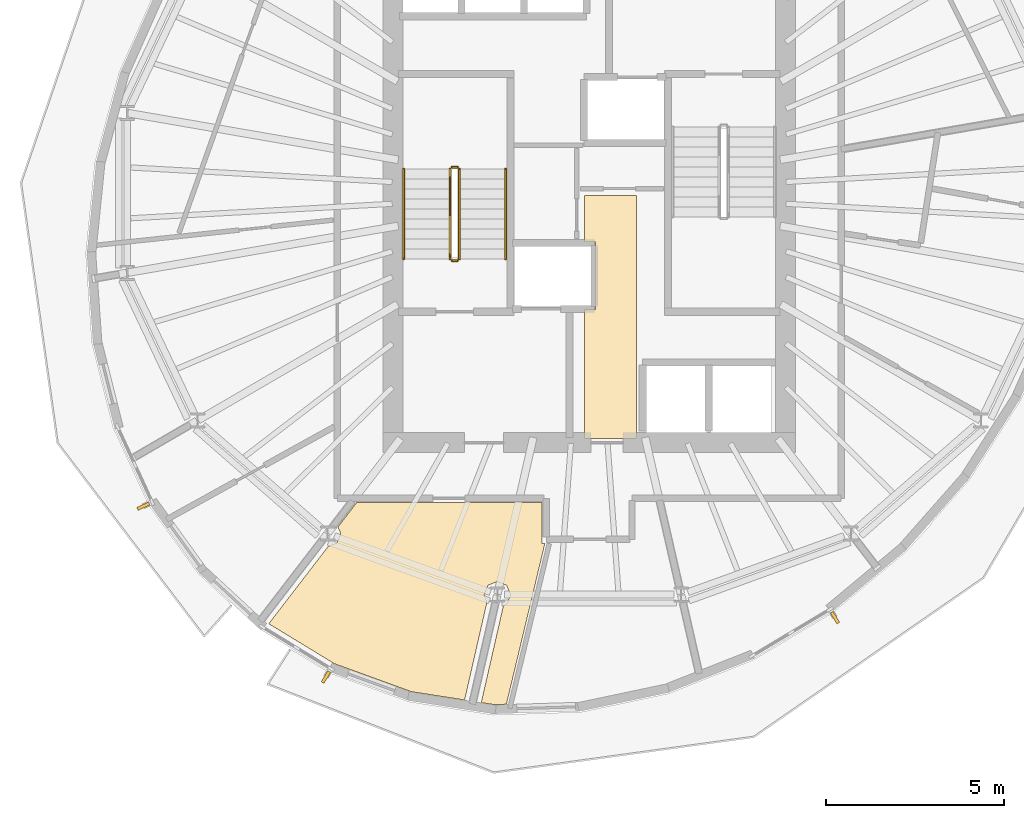
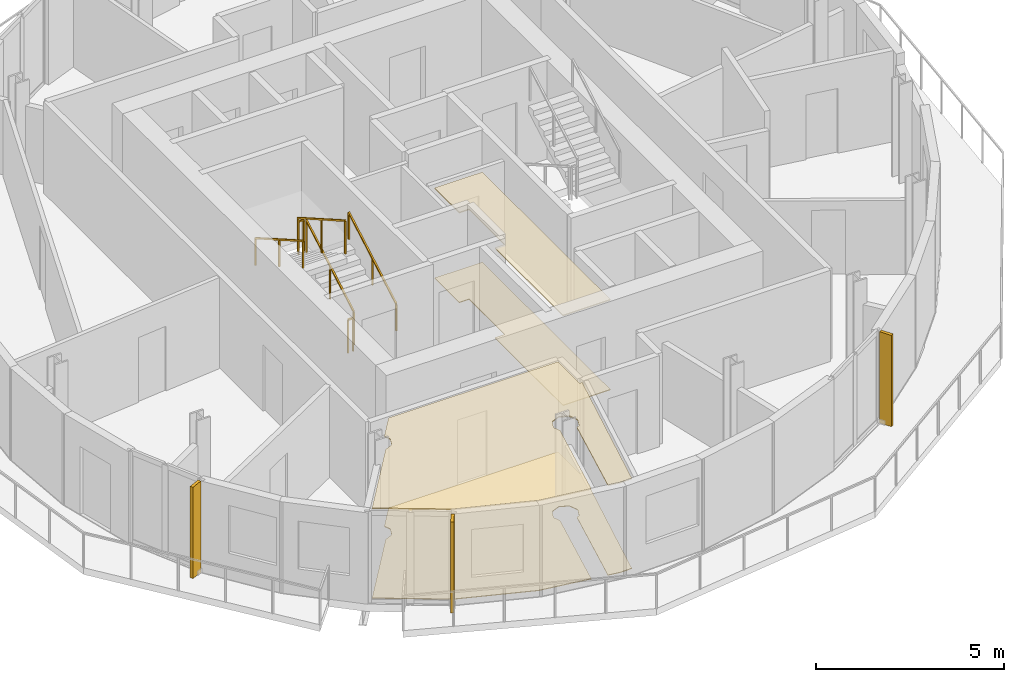
# One storey, part 8 of 11: 6 railings, 4 coverings, 3 shading devices.
"""IFC4 building model written with IfcOpenShell, lengths in metres."""

import ifcopenshell
import ifcopenshell.guid

model = None  # the IFC model being written
_history = None  # IfcOwnerHistory: only IFC2X3 demands one
_inside = {}  # id of a spatial element -> (the spatial element, [elements in it])
_under = {}  # id of a project, library or spatial element -> (it, [spatial elements below it])
_declared = {}  # id of a project -> (the project, [libraries it declares])
_typed = {}  # id of a type object -> (the type object, [elements of that type])
_made_of = {}  # id of a material, layer set ... -> (it, [elements and type objects made of it])


def new_model(schema):
    """Start an empty IFC model of exactly this schema.

    Asked for "IFC4X3", IfcOpenShell would pick the latest addendum, in which some entities
    have other attributes; the version numbers below select the first issue.
    IFC2X3 requires an IfcOwnerHistory on every rooted entity: one is made here for all.
    """
    global model, _history
    if schema == "IFC4X3":
        model = ifcopenshell.file(schema_version=(4, 3, 0, 0))
    else:
        model = ifcopenshell.file(schema=schema)
    _inside.clear()
    _under.clear()
    _declared.clear()
    _typed.clear()
    _made_of.clear()
    _history = None
    if model.schema == "IFC2X3":
        org = make("IfcOrganization", Name="unknown")
        user = make(
            "IfcPersonAndOrganization",
            ThePerson=make("IfcPerson", FamilyName="unknown"),
            TheOrganization=org,
        )
        app = make(
            "IfcApplication",
            ApplicationDeveloper=org,
            Version="unknown",
            ApplicationFullName="unknown",
            ApplicationIdentifier="unknown",
        )
        _history = make(
            "IfcOwnerHistory",
            OwningUser=user,
            OwningApplication=app,
            ChangeAction="ADDED",
            CreationDate=0,
        )
    return model


def make(cls, **values):
    """One entity of the class cls with the attributes given. An attribute that is None is left unset."""
    return model.create_entity(
        cls, **{name: value for name, value in values.items() if value is not None}
    )


def rooted(cls, **values):
    """An entity with a GlobalId (a new one), such as an element, a storey or a relation."""
    return make(cls, GlobalId=ifcopenshell.guid.new(), OwnerHistory=_history, **values)


def si_unit(unit_type, name, prefix=None):
    """IfcSIUnit, for example si_unit("LENGTHUNIT", "METRE", prefix="MILLI")."""
    return make("IfcSIUnit", UnitType=unit_type, Prefix=prefix, Name=name)


def assignment(units):
    """IfcUnitAssignment: the units of a project."""
    return None if units is None else make("IfcUnitAssignment", Units=units)


def point(xyz):
    """IfcCartesianPoint."""
    return None if xyz is None else make("IfcCartesianPoint", Coordinates=xyz)


def direction(xyz):
    """IfcDirection."""
    return None if xyz is None else make("IfcDirection", DirectionRatios=xyz)


def frame(location, z_axis=None, x_axis=None):
    """IfcAxis2Placement3D, a coordinate frame: its origin and axes. An axis left out is left unset."""
    return make(
        "IfcAxis2Placement3D",
        Location=point(location),
        Axis=direction(z_axis),
        RefDirection=direction(x_axis),
    )


def frame_2d(location, x_axis=None):
    """IfcAxis2Placement2D, a coordinate frame in the plane: its origin and x axis."""
    return make(
        "IfcAxis2Placement2D", Location=point(location), RefDirection=direction(x_axis)
    )


def origin():
    """The frame at (0, 0, 0) with its axes left unset."""
    return frame((0.0, 0.0, 0.0))


def origin_2d():
    """The frame at (0, 0) in the plane with its x axis left unset."""
    return frame_2d((0.0, 0.0))


def place(relative_to, where):
    """IfcLocalPlacement: puts the frame where relative to a parent placement (None: the world)."""
    return make(
        "IfcLocalPlacement", PlacementRelTo=relative_to, RelativePlacement=where
    )


def context(
    kind, dimensions, precision=None, world=None, true_north=None, identifier=None
):
    """IfcGeometricRepresentationContext, for example the 3D "Model" context."""
    return make(
        "IfcGeometricRepresentationContext",
        ContextIdentifier=identifier,
        ContextType=kind,
        CoordinateSpaceDimension=dimensions,
        Precision=precision,
        WorldCoordinateSystem=world,
        TrueNorth=true_north,
    )


def subcontext(parent, identifier, kind, view, scale=None):
    """IfcGeometricRepresentationSubContext, for example "Body" below "Model"."""
    return make(
        "IfcGeometricRepresentationSubContext",
        ContextIdentifier=identifier,
        ContextType=kind,
        ParentContext=parent,
        TargetScale=scale,
        TargetView=view,
    )


def project(units=None, contexts=None):
    """IfcProject with its units and contexts."""
    return rooted(
        "IfcProject",
        Name="project",
        RepresentationContexts=contexts,
        UnitsInContext=assignment(units),
    )


def spatial(cls, under=None, at=None, **own):
    """A site, building, storey or space (cls), placed at a placement, below another one or the project."""
    s = rooted(cls, ObjectPlacement=at, **own)
    if under is not None:
        _under.setdefault(under.id(), (under, []))[1].append(s)
    return s


def polyline(points):
    """IfcPolyline through the points."""
    return make("IfcPolyline", Points=[point(p) for p in points])


def profile(cls, at=None, kind="AREA", **sizes):
    """A parametric profile (cls). Its sizes go by their IFC names, for example OverallWidth=200.0."""
    return make(cls, ProfileType=kind, Position=at, **sizes)


def rectangle(**sizes):
    """IfcRectangleProfileDef."""
    return profile("IfcRectangleProfileDef", **sizes)


def outline(outer, holes=None, kind="AREA"):
    """IfcArbitraryClosedProfileDef: a profile drawn as a closed curve; with holes, ...WithVoids."""
    if holes is None:
        return make("IfcArbitraryClosedProfileDef", ProfileType=kind, OuterCurve=outer)
    return make(
        "IfcArbitraryProfileDefWithVoids",
        ProfileType=kind,
        OuterCurve=outer,
        InnerCurves=holes,
    )


def extrude(swept, where, along, depth):
    """IfcExtrudedAreaSolid: the profile swept, set in the frame where, extruded along a direction by depth."""
    return make(
        "IfcExtrudedAreaSolid",
        SweptArea=swept,
        Position=where,
        ExtrudedDirection=direction(along),
        Depth=depth,
    )


def shape(context_of_items, identifier, shape_type, items):
    """IfcShapeRepresentation: the items that make up one representation, for example the "Body"."""
    return make(
        "IfcShapeRepresentation",
        ContextOfItems=context_of_items,
        RepresentationIdentifier=identifier,
        RepresentationType=shape_type,
        Items=items,
    )


def material(Name=None, Category=None):
    """IfcMaterial."""
    return make("IfcMaterial", Name=Name, Category=Category)


def layer(
    of_material, thickness, ventilated=None, Name=None, Category=None, Priority=None
):
    """IfcMaterialLayer: one layer of a wall or slab, of a material (None: an air gap)."""
    return make(
        "IfcMaterialLayer",
        Material=of_material,
        LayerThickness=thickness,
        IsVentilated=ventilated,
        Name=Name,
        Category=Category,
        Priority=Priority,
    )


def layer_set(layers, Name=None):
    """IfcMaterialLayerSet."""
    return make("IfcMaterialLayerSet", MaterialLayers=layers, LayerSetName=Name)


def made_of(thing, what):
    """Note that an element or type object is made of a material, layer set ...; save() writes the relation."""
    if what is not None:
        _made_of.setdefault(what.id(), (what, []))[1].append(thing)
    return thing


def type_object(cls, material=None, **own):
    """A type object (cls), such as IfcWallType, which elements share."""
    return made_of(rooted(cls, **own), material)


def element(
    cls,
    number,
    at=None,
    inside=None,
    cuts=None,
    type_object=None,
    material=None,
    context=None,
    identifier="Body",
    shape_type=None,
    held_by="IfcProductDefinitionShape",
    body=None,
    shapes=None,
    **own,
):
    """One element of the class cls, such as IfcWall. Its Tag is "e" and its number.

    at: its placement. inside: the storey or other place that contains it. cuts: it is an
    opening in that element (IfcRelVoidsElement). A single representation is given by context,
    identifier, shape_type and body (its items); several are given by shapes. held_by: the class
    of the entity that holds the representations. save() writes the other relations.
    """
    e = rooted(cls, Tag="e%d" % number, ObjectPlacement=at, **own)
    if body is not None:
        shapes = [shape(context, identifier, shape_type, body)]
    if shapes is not None:
        e.Representation = make(held_by, Representations=shapes)
    if inside is not None:
        _inside.setdefault(inside.id(), (inside, []))[1].append(e)
    if cuts is not None:
        rooted(
            "IfcRelVoidsElement", RelatingBuildingElement=cuts, RelatedOpeningElement=e
        )
    if type_object is not None:
        _typed.setdefault(type_object.id(), (type_object, []))[1].append(e)
    return made_of(e, material)


def aggregate(whole, parts):
    """IfcRelAggregates: a whole, such as a stair, and the parts it consists of."""
    return rooted("IfcRelAggregates", RelatingObject=whole, RelatedObjects=parts)


def save(model, path):
    """Write the relations noted so far, then the file.

    IfcRelAggregates (storeys below a building ...), IfcRelContainedInSpatialStructure (elements
    in a storey), IfcRelDefinesByType, IfcRelAssociatesMaterial and IfcRelDeclares: one each for
    every whole, place, type object, material and project.
    """
    for whole, parts in _under.values():
        aggregate(whole, parts)
    for where, things in _inside.values():
        rooted(
            "IfcRelContainedInSpatialStructure",
            RelatedElements=things,
            RelatingStructure=where,
        )
    for kind, things in _typed.values():
        rooted("IfcRelDefinesByType", RelatedObjects=things, RelatingType=kind)
    for what, things in _made_of.values():
        rooted("IfcRelAssociatesMaterial", RelatedObjects=things, RelatingMaterial=what)
    for by, libraries in _declared.values():
        rooted("IfcRelDeclares", RelatingContext=by, RelatedDefinitions=libraries)
    model.write(path)


model = new_model("IFC4")

# Units and contexts
model_context = context("Model", 3, precision=1e-05, world=origin(), true_north=direction((0.0, 1.0)))
body_context = subcontext(model_context, "Body", "Model", "MODEL_VIEW")
ifc_project = project(units=[si_unit("LENGTHUNIT", "METRE"), si_unit("AREAUNIT", "SQUARE_METRE"), si_unit("VOLUMEUNIT", "CUBIC_METRE"), si_unit("PLANEANGLEUNIT", "RADIAN"), si_unit("MASSUNIT", "GRAM", prefix="KILO")], contexts=[model_context])

# Site, building, storey
site_placement = place(None, origin())
site = spatial("IfcSite", under=ifc_project, at=site_placement, CompositionType="ELEMENT")
building_placement = place(site_placement, origin())
building = spatial("IfcBuilding", under=site, at=building_placement, Name="Veldorim Arch Residences", CompositionType="ELEMENT")
storey_placement = place(building_placement, frame((0.0, 0.0, 211.0400390625)))
storey = spatial("IfcBuildingStorey", under=building, at=storey_placement, Name="L63", CompositionType="ELEMENT", Elevation=211.0400390625)

# Railings
ifc_material_1 = material(Name="Steel S355", Category="steel")
railing_type_1 = type_object("IfcRailingType", Name="Galvanised Steel Stair Safety Guardrail 1100", PredefinedType="GUARDRAIL", material=ifc_material_1)
railing_1_placement = place(storey_placement, frame((28.360107421875, 22.14990234375, 0.159912109375)))
element("IfcRailing", 1, at=railing_1_placement, inside=storey, type_object=railing_type_1, Name="L63 ST-1 stair guard 1", PredefinedType="GUARDRAIL", context=body_context, shape_type="SweptSolid", body=[
    extrude(rectangle(XDim=0.048095703125, YDim=0.048095703125, at=origin_2d()), frame((0.0, 0.0, 1.076171875), z_axis=(0.0, 0.868253494771, 0.496120820787), x_axis=(-1.0, 0.0, 0.0)), (0.0, 0.0, 1.0), 2.90234375),
    extrude(rectangle(XDim=0.0419921875, YDim=0.0419921875, at=origin_2d()), origin(), (0.0, 0.0, 1.0), 1.052001953125),
    extrude(rectangle(XDim=0.0419921875, YDim=0.0419921875, at=origin_2d()), frame((0.0, 1.260009765625, 0.719970703125)), (0.0, 0.0, 1.0), 1.052001953125),
    extrude(rectangle(XDim=0.0419921875, YDim=0.0419921875, at=origin_2d()), frame((0.0, 2.52001953125, 1.43994140625)), (0.0, 0.0, 1.0), 1.052001953125),
])
railing_2_placement = place(storey_placement, frame((28.31005859375, 24.719970703125, 1.599853515625)))
element("IfcRailing", 2, at=railing_2_placement, inside=storey, type_object=railing_type_1, Name="L63 ST-1 stair guard 2", PredefinedType="GUARDRAIL", context=body_context, shape_type="SweptSolid", body=[
    extrude(rectangle(XDim=0.048095703125, YDim=0.048095703125, at=origin_2d()), frame((0.0, 0.0, 1.076171875), z_axis=(-1.0, 0.0, 0.0), x_axis=(0.0, -1.0, 0.0)), (0.0, 0.0, 1.0), 0.16015625),
    extrude(rectangle(XDim=0.0419921875, YDim=0.0419921875, at=origin_2d()), origin(), (0.0, 0.0, 1.0), 1.052001953125),
    extrude(rectangle(XDim=0.0419921875, YDim=0.0419921875, at=origin_2d()), frame((-0.16015625, 0.0, 0.0)), (0.0, 0.0, 1.0), 1.052001953125),
])
railing_3_placement = place(storey_placement, frame((28.10009765625, 24.669921875, 1.760009765625)))
element("IfcRailing", 3, at=railing_3_placement, inside=storey, type_object=railing_type_1, Name="L63 ST-1 stair guard 3", PredefinedType="GUARDRAIL", context=body_context, shape_type="SweptSolid", body=[
    extrude(rectangle(XDim=0.048095703125, YDim=0.048095703125, at=origin_2d()), frame((0.0, 0.0, 1.076171875), z_axis=(0.0, -0.868253494771, 0.496120820787), x_axis=(1.0, 0.0, 0.0)), (0.0, 0.0, 1.0), 2.90234375),
    extrude(rectangle(XDim=0.0419921875, YDim=0.0419921875, at=origin_2d()), origin(), (0.0, 0.0, 1.0), 1.052001953125),
    extrude(rectangle(XDim=0.0419921875, YDim=0.0419921875, at=origin_2d()), frame((0.0, -1.260009765625, 0.719970703125)), (0.0, 0.0, 1.0), 1.052001953125),
    extrude(rectangle(XDim=0.0419921875, YDim=0.0419921875, at=origin_2d()), frame((0.0, -2.52001953125, 1.43994140625)), (0.0, 0.0, 1.0), 1.052001953125),
])
railing_4_placement = place(storey_placement, frame((28.31005859375, 22.10009765625, 0.0)))
element("IfcRailing", 4, at=railing_4_placement, inside=storey, type_object=railing_type_1, Name="L63 ST-1 stair guard 4", PredefinedType="GUARDRAIL", context=body_context, shape_type="SweptSolid", body=[
    extrude(rectangle(XDim=0.048095703125, YDim=0.048095703125, at=origin_2d()), frame((0.0, 0.0, 1.076171875), z_axis=(-1.0, 0.0, 0.0), x_axis=(0.0, -1.0, 0.0)), (0.0, 0.0, 1.0), 0.16015625),
    extrude(rectangle(XDim=0.0419921875, YDim=0.0419921875, at=origin_2d()), origin(), (0.0, 0.0, 1.0), 1.052001953125),
    extrude(rectangle(XDim=0.0419921875, YDim=0.0419921875, at=origin_2d()), frame((-0.16015625, 0.0, 0.0)), (0.0, 0.0, 1.0), 1.052001953125),
])

# Coverings
ifc_material_2 = material(Name="Acoustic Gypsum & Mineral Fibre", Category="gypsum")
ifc_layer_1 = layer(ifc_material_2, 0.034912109375, Name="Perforated Acoustic Mineral-Fibre Ceiling 35")
ifc_layer_set_1 = layer_set([ifc_layer_1], Name="Acoustic Gypsum & Mineral Fibre")
covering_type_1 = type_object("IfcCoveringType", Name="Perforated Acoustic Mineral-Fibre Ceiling 35", PredefinedType="CEILING", material=ifc_layer_set_1)
covering_1_placement = place(storey_placement, frame((0.0, 0.0, 2.905029296875)))
element("IfcCovering", 5, at=covering_1_placement, inside=storey, type_object=covering_type_1, Name="L63 acoustic suspended ceiling 01", PredefinedType="CEILING", context=body_context, shape_type="SweptSolid", body=[
    extrude(outline(polyline([(33.330078125, 23.929931640625), (33.330078125, 17.1201171875), (31.8701171875, 17.1201171875), (31.8701171875, 20.735107421875), (32.169921875, 20.735107421875), (32.169921875, 22.625), (31.8701171875, 22.625), (31.8701171875, 23.929931640625), (33.330078125, 23.929931640625)])), origin(), (0.0, 0.0, 1.0), 0.034912109375),
])
covering_2_placement = place(storey_placement, frame((0.0, 0.0, 2.905029296875)))
element("IfcCovering", 6, at=covering_2_placement, inside=storey, type_object=covering_type_1, Name="L63 acoustic suspended ceiling 02", PredefinedType="CEILING", context=body_context, shape_type="SweptSolid", body=[
    extrude(outline(polyline([(24.685302734375, 14.093017578125), (24.927734375, 14.193603515625), (25.035888671875, 14.45458984375), (24.95947265625, 14.63916015625), (25.482666015625, 15.320068359375), (30.679931640625, 15.320068359375), (30.679931640625, 14.169921875), (30.757080078125, 14.169921875), (29.68017578125, 9.671142578125), (29.330078125, 9.660400390625), (28.974365234375, 9.7158203125), (29.597900390625, 12.443115234375), (29.68603515625, 12.4794921875), (29.794189453125, 12.740478515625), (29.68603515625, 13.001708984375), (29.4248046875, 13.110107421875), (29.16357421875, 13.001708984375), (29.055419921875, 12.740478515625), (29.137939453125, 12.54150390625), (28.50830078125, 9.78857421875), (27.019775390625, 10.02099609375), (24.86181640625, 10.804443359375), (23.02001953125, 11.92578125), (24.685302734375, 14.093017578125)])), origin(), (0.0, 0.0, 1.0), 0.034912109375),
])
ifc_material_3 = material(Name="Porcelain Ceramic Tile", Category="ceramic")
ifc_layer_2 = layer(ifc_material_3, 0.02001953125, Name="Slip-Resistant Porcelain & Vinyl Floor Finish 20")
ifc_layer_set_2 = layer_set([ifc_layer_2], Name="Porcelain Ceramic Tile")
covering_type_2 = type_object("IfcCoveringType", Name="Slip-Resistant Porcelain & Vinyl Floor Finish 20", PredefinedType="FLOORING", material=ifc_layer_set_2)
covering_3_placement = place(storey_placement, origin())
element("IfcCovering", 7, at=covering_3_placement, inside=storey, type_object=covering_type_2, Name="L63 porcelain floor finish 01", PredefinedType="FLOORING", context=body_context, shape_type="SweptSolid", body=[
    extrude(outline(polyline([(33.330078125, 23.929931640625), (33.330078125, 17.1201171875), (31.8701171875, 17.1201171875), (31.8701171875, 20.735107421875), (32.169921875, 20.735107421875), (32.169921875, 22.625), (31.8701171875, 22.625), (31.8701171875, 23.929931640625), (33.330078125, 23.929931640625)])), origin(), (0.0, 0.0, 1.0), 0.02001953125),
])
covering_4_placement = place(storey_placement, origin())
element("IfcCovering", 8, at=covering_4_placement, inside=storey, type_object=covering_type_2, Name="L63 porcelain floor finish 02", PredefinedType="FLOORING", context=body_context, shape_type="SweptSolid", body=[
    extrude(outline(polyline([(24.685302734375, 14.093017578125), (24.927734375, 14.193603515625), (25.035888671875, 14.45458984375), (24.95947265625, 14.63916015625), (25.482666015625, 15.320068359375), (30.679931640625, 15.320068359375), (30.679931640625, 14.169921875), (30.757080078125, 14.169921875), (29.68017578125, 9.671142578125), (29.330078125, 9.660400390625), (28.974365234375, 9.7158203125), (29.597900390625, 12.443115234375), (29.68603515625, 12.4794921875), (29.794189453125, 12.740478515625), (29.68603515625, 13.001708984375), (29.4248046875, 13.110107421875), (29.16357421875, 13.001708984375), (29.055419921875, 12.740478515625), (29.137939453125, 12.54150390625), (28.50830078125, 9.78857421875), (27.019775390625, 10.02099609375), (24.86181640625, 10.804443359375), (23.02001953125, 11.92578125), (24.685302734375, 14.093017578125)])), origin(), (0.0, 0.0, 1.0), 0.02001953125),
])

# Railings
ifc_material_4 = material(Name="Stainless Steel", Category="steel")
railing_type_2 = type_object("IfcRailingType", Name="Tubular Steel Continuous Wall Handrail 900", PredefinedType="HANDRAIL", material=ifc_material_4)
railing_5_placement = place(storey_placement, frame((29.659912109375, 22.14990234375, 0.159912109375)))
element("IfcRailing", 9, at=railing_5_placement, inside=storey, type_object=railing_type_2, Name="L63 ST-1 stair handrail 1", PredefinedType="HANDRAIL", context=body_context, shape_type="SweptSolid", body=[
    extrude(rectangle(XDim=0.048095703125, YDim=0.048095703125, at=origin_2d()), frame((0.0, 0.0, 0.8759765625), z_axis=(0.0, 0.868253494771, 0.496120820787), x_axis=(-1.0, 0.0, 0.0)), (0.0, 0.0, 1.0), 2.90234375),
    extrude(rectangle(XDim=0.0419921875, YDim=0.0419921875, at=origin_2d()), origin(), (0.0, 0.0, 1.0), 0.851806640625),
    extrude(rectangle(XDim=0.0419921875, YDim=0.0419921875, at=origin_2d()), frame((0.0, 1.260009765625, 0.719970703125)), (0.0, 0.0, 1.0), 0.851806640625),
    extrude(rectangle(XDim=0.0419921875, YDim=0.0419921875, at=origin_2d()), frame((0.0, 2.52001953125, 1.43994140625)), (0.0, 0.0, 1.0), 0.851806640625),
])
railing_6_placement = place(storey_placement, frame((26.800048828125, 24.669921875, 1.760009765625)))
element("IfcRailing", 10, at=railing_6_placement, inside=storey, type_object=railing_type_2, Name="L63 ST-1 stair handrail 2", PredefinedType="HANDRAIL", context=body_context, shape_type="SweptSolid", body=[
    extrude(rectangle(XDim=0.048095703125, YDim=0.048095703125, at=origin_2d()), frame((0.0, 0.0, 0.8759765625), z_axis=(0.0, -0.868253494771, 0.496120820787), x_axis=(1.0, 0.0, 0.0)), (0.0, 0.0, 1.0), 2.90234375),
    extrude(rectangle(XDim=0.0419921875, YDim=0.0419921875, at=origin_2d()), origin(), (0.0, 0.0, 1.0), 0.851806640625),
    extrude(rectangle(XDim=0.0419921875, YDim=0.0419921875, at=origin_2d()), frame((0.0, -1.260009765625, 0.719970703125)), (0.0, 0.0, 1.0), 0.851806640625),
    extrude(rectangle(XDim=0.0419921875, YDim=0.0419921875, at=origin_2d()), frame((0.0, -2.52001953125, 1.43994140625)), (0.0, 0.0, 1.0), 0.851806640625),
])

# Shading devices
ifc_material_5 = material(Name="Terracotta Ceramic", Category="masonry")
ifc_layer_3 = layer(ifc_material_5, 0.090087890625, Name="Vertical Extruded Terracotta Baguette Sun-Shading Fin")
ifc_layer_set_3 = layer_set([ifc_layer_3], Name="Terracotta Ceramic")
shading_device_type = type_object("IfcShadingDeviceType", Name="Vertical Extruded Terracotta Baguette Sun-Shading Fin", PredefinedType="USERDEFINED", material=ifc_layer_set_3)
for number, where, z_axis, x_axis, name in (
    (11, (19.50439453125, 15.21923828125, 0.0), (0.0, 0.0, 1.0), (-0.418025632026, 0.908435232127, 0.0), "L63 vertical terracotta sun-shading fin 16"),
    (12, (24.621826171875, 10.4326171875, 0.0), (0.0, 0.0, 1.0), (-0.854186693447, 0.519966434242, 0.0), "L63 vertical terracotta sun-shading fin 19"),
    (13, (38.887939453125, 12.09716796875, 0.0), (0.0, 0.0, 1.0), (-0.858512728225, -0.512792253721, 0.0), "L63 vertical terracotta sun-shading fin 25"),
):
    element("IfcShadingDevice", number, at=place(storey_placement, frame(where, z_axis=z_axis, x_axis=x_axis)), inside=storey, type_object=shading_device_type, Name=name, ObjectType="FIN", PredefinedType="USERDEFINED", context=body_context, shape_type="SweptSolid", body=[
        extrude(rectangle(XDim=0.090087890625, YDim=0.360107421875, at=origin_2d()), origin(), (0.0, 0.0, 1.0), 2.9599609375),
    ])

save(model, "model.ifc")
